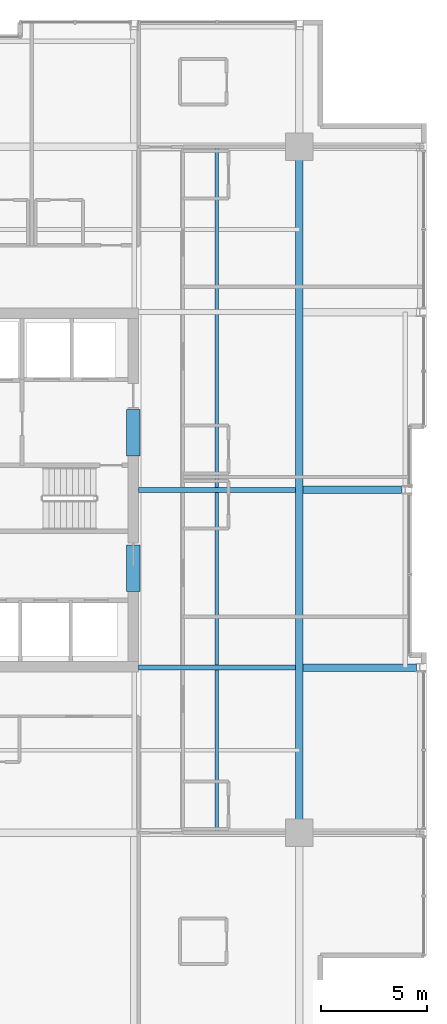
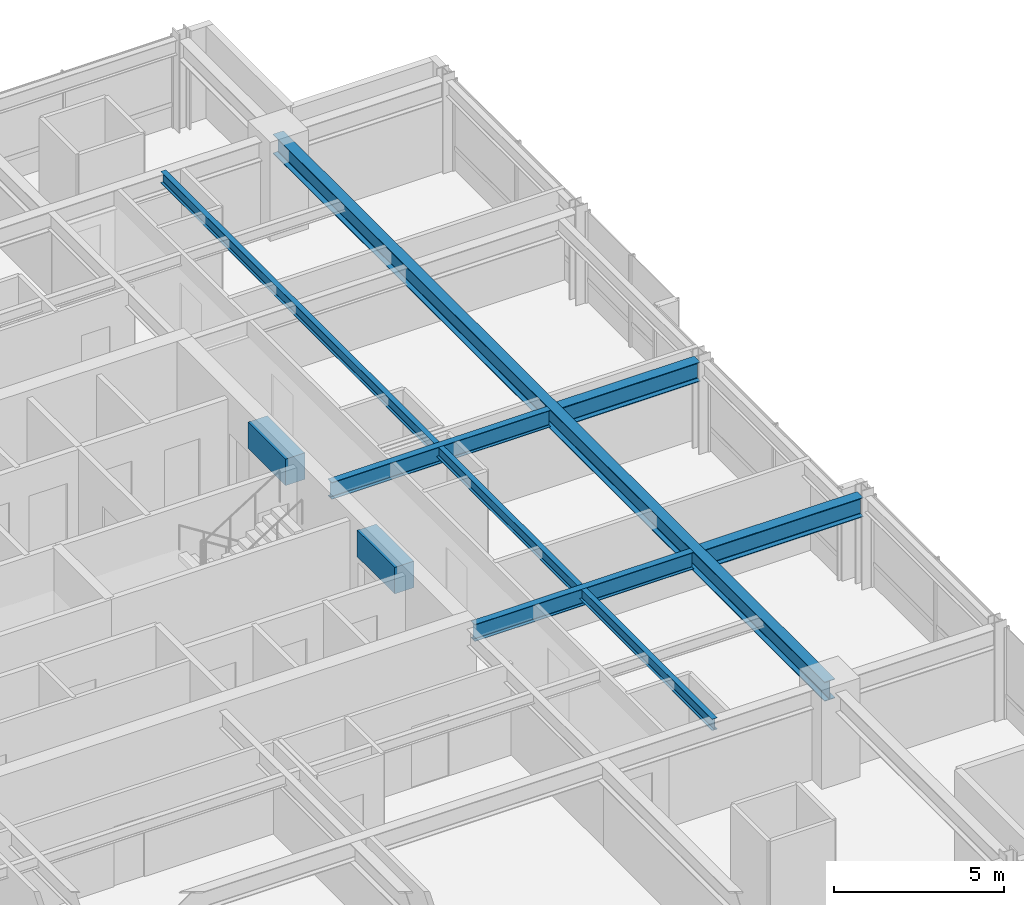
# One storey, part 14 of 32: 8 beams.
"""IFC4 building model written with IfcOpenShell, lengths in metres."""

from ifc_helpers import new_model, si_unit, direction, frame, origin, origin_2d, place, context, subcontext, project, spatial, rectangle, i_section, extrude, material, material_profile, profile_set, type_object, element, save


model = new_model("IFC4")

# Units and contexts
model_context = context("Model", 3, precision=1e-05, world=origin(), true_north=direction((0.0, 1.0)))
body_context = subcontext(model_context, "Body", "Model", "MODEL_VIEW")
ifc_project = project(units=[si_unit("LENGTHUNIT", "METRE"), si_unit("AREAUNIT", "SQUARE_METRE"), si_unit("VOLUMEUNIT", "CUBIC_METRE"), si_unit("PLANEANGLEUNIT", "RADIAN"), si_unit("MASSUNIT", "GRAM", prefix="KILO")], contexts=[model_context])

# Site, building, storey
site_placement = place(None, origin())
site = spatial("IfcSite", under=ifc_project, at=site_placement, CompositionType="ELEMENT")
building_placement = place(site_placement, origin())
building = spatial("IfcBuilding", under=site, at=building_placement, Name="Drelvath Grand Hotel", CompositionType="ELEMENT")
storey_placement = place(building_placement, frame((0.0, 0.0, 182.35009765625)))
storey = spatial("IfcBuildingStorey", under=building, at=storey_placement, Name="L47", CompositionType="ELEMENT", Elevation=182.35009765625)

# Beams
ifc_material_1 = material(Name="Steel ASTM A992 Gr 50", Category="steel")
ifc_material_profile_1 = material_profile(ifc_material_1, i_section(OverallWidth=0.177734375, OverallDepth=0.40673828125, WebThickness=0.0078125, FlangeThickness=0.0126953125, FilletRadius=0.014892578125, at=origin_2d()), Name="W16X40")
ifc_profile_set_1 = profile_set([ifc_material_profile_1], Name="Steel ASTM A992 Gr 50")
beam_type_1 = type_object("IfcBeamType", Name="Composite Floor Joist W16X40", PredefinedType="JOIST", material=ifc_profile_set_1)
beam_1_placement = place(storey_placement, frame((12.300048828125, 10.800048828125, 3.08642578125), z_axis=(0.0, 1.0, 0.0), x_axis=(-1.0, 0.0, 0.0)))
element("IfcBeam", 1, at=beam_1_placement, inside=storey, type_object=beam_type_1, Name="L47 Wing Floor Joist J4", PredefinedType="JOIST", context=body_context, shape_type="SweptSolid", body=[
    extrude(i_section(OverallWidth=0.177734375, OverallDepth=0.40673828125, WebThickness=0.0078125, FlangeThickness=0.0126953125, FilletRadius=0.014892578125, at=origin_2d()), origin(), (0.0, 0.0, 1.0), 32.39990234375),
])
ifc_material_2 = material(Name="Concrete f'c 55 MPa", Category="concrete")
ifc_material_profile_2 = material_profile(ifc_material_2, rectangle(XDim=0.64990234375, YDim=0.949951171875, at=origin_2d()), Name="CB650X950")
ifc_profile_set_2 = profile_set([ifc_material_profile_2], Name="Concrete f'c 55 MPa")
beam_type_2 = type_object("IfcBeamType", Name="Core Coupling Lintel CB650X950", PredefinedType="LINTEL", material=ifc_profile_set_2)
for number, where, z_axis, x_axis, name in (
    (2, (8.35009765625, 22.199951171875, 2.81494140625), (0.0, 1.0, 0.0), (-1.0, 0.0, 0.0), "L47 Core Coupling Lintel ES"),
    (3, (8.35009765625, 28.60009765625, 2.81494140625), (0.0, 1.0, 0.0), (-1.0, 0.0, 0.0), "L47 Core Coupling Lintel EN"),
):
    element("IfcBeam", number, at=place(storey_placement, frame(where, z_axis=z_axis, x_axis=x_axis)), inside=storey, type_object=beam_type_2, Name=name, PredefinedType="LINTEL", context=body_context, shape_type="SweptSolid", body=[
        extrude(rectangle(XDim=0.64990234375, YDim=0.949951171875, at=origin_2d()), origin(), (0.0, 0.0, 1.0), 2.199951171875),
    ])
ifc_material_profile_3 = material_profile(ifc_material_1, i_section(OverallWidth=0.228271484375, OverallDepth=0.607666015625, WebThickness=0.01123046875, FlangeThickness=0.017333984375, FilletRadius=0.02001953125, at=origin_2d()), Name="W24X76")
ifc_profile_set_3 = profile_set([ifc_material_profile_3], Name="Steel ASTM A992 Gr 50")
beam_type_3 = type_object("IfcBeamType", Name="Primary Floor Girder W24X76", PredefinedType="BEAM", material=ifc_profile_set_3)
for number, where, z_axis, x_axis, name in (
    (4, (8.60009765625, 18.60009765625, 2.986083984375), (1.0, 0.0, 0.0), (0.0, 1.0, 0.0), "L47 East Core Tie D"),
    (5, (8.60009765625, 27.0, 2.986083984375), (1.0, 0.0, 0.0), (0.0, 1.0, 0.0), "L47 East Core Tie E"),
):
    element("IfcBeam", number, at=place(storey_placement, frame(where, z_axis=z_axis, x_axis=x_axis)), inside=storey, type_object=beam_type_3, Name=name, PredefinedType="BEAM", context=body_context, shape_type="SweptSolid", body=[
        extrude(i_section(OverallWidth=0.228271484375, OverallDepth=0.607666015625, WebThickness=0.01123046875, FlangeThickness=0.017333984375, FilletRadius=0.02001953125, at=origin_2d()), origin(), (0.0, 0.0, 1.0), 7.422607421875),
    ])
ifc_material_profile_4 = material_profile(ifc_material_1, i_section(OverallWidth=0.354736328125, OverallDepth=0.695556640625, WebThickness=0.015380859375, FlangeThickness=0.025146484375, FilletRadius=0.02392578125, at=origin_2d()), Name="W27X146")
ifc_profile_set_4 = profile_set([ifc_material_profile_4], Name="Steel ASTM A992 Gr 50")
beam_type_4 = type_object("IfcBeamType", Name="Primary Floor Girder W27X146", PredefinedType="BEAM", material=ifc_profile_set_4)
beam_2_placement = place(storey_placement, frame((16.199951171875, 10.800048828125, 2.942138671875), z_axis=(0.0, 1.0, 0.0), x_axis=(-1.0, 0.0, 0.0)))
element("IfcBeam", 6, at=beam_2_placement, inside=storey, type_object=beam_type_4, Name="L47 Mega Ring Girder East", PredefinedType="BEAM", context=body_context, shape_type="SweptSolid", body=[
    extrude(i_section(OverallWidth=0.354736328125, OverallDepth=0.695556640625, WebThickness=0.015380859375, FlangeThickness=0.025146484375, FilletRadius=0.02392578125, at=origin_2d()), origin(), (0.0, 0.0, 1.0), 32.39990234375),
])
beam_3_placement = place(storey_placement, frame((16.37744140625, 18.60009765625, 2.942138671875), z_axis=(1.0, 0.0, 0.0), x_axis=(0.0, 1.0, 0.0)))
element("IfcBeam", 7, at=beam_3_placement, inside=storey, type_object=beam_type_4, Name="L47 East Wing Girder D", PredefinedType="BEAM", context=body_context, shape_type="SweptSolid", body=[
    extrude(i_section(OverallWidth=0.354736328125, OverallDepth=0.695556640625, WebThickness=0.015380859375, FlangeThickness=0.025146484375, FilletRadius=0.02392578125, at=origin_2d()), origin(), (0.0, 0.0, 1.0), 5.362548828125),
])
beam_4_placement = place(storey_placement, frame((16.37744140625, 27.0, 2.942138671875), z_axis=(1.0, 0.0, 0.0), x_axis=(0.0, 1.0, 0.0)))
element("IfcBeam", 8, at=beam_4_placement, inside=storey, type_object=beam_type_4, Name="L47 East Wing Girder E", PredefinedType="BEAM", context=body_context, shape_type="SweptSolid", body=[
    extrude(i_section(OverallWidth=0.354736328125, OverallDepth=0.695556640625, WebThickness=0.015380859375, FlangeThickness=0.025146484375, FilletRadius=0.02392578125, at=origin_2d()), origin(), (0.0, 0.0, 1.0), 4.6826171875),
])

save(model, "model.ifc")
